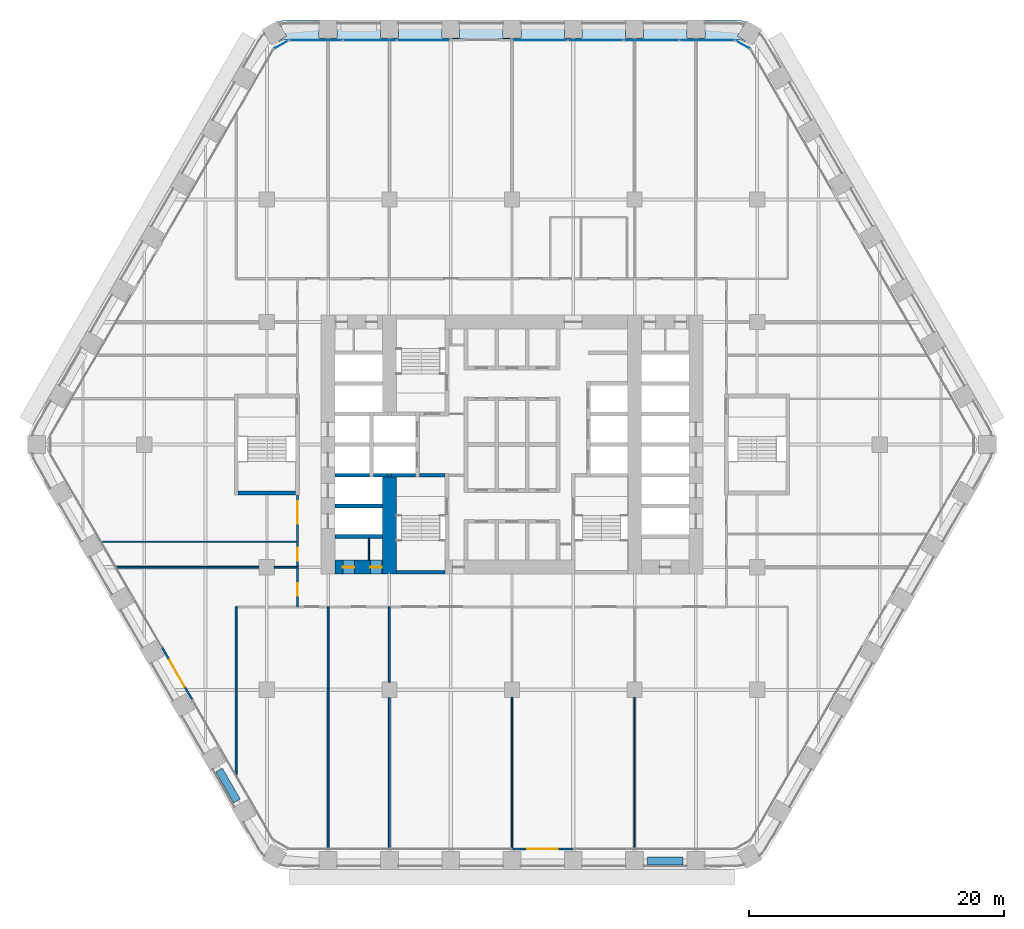
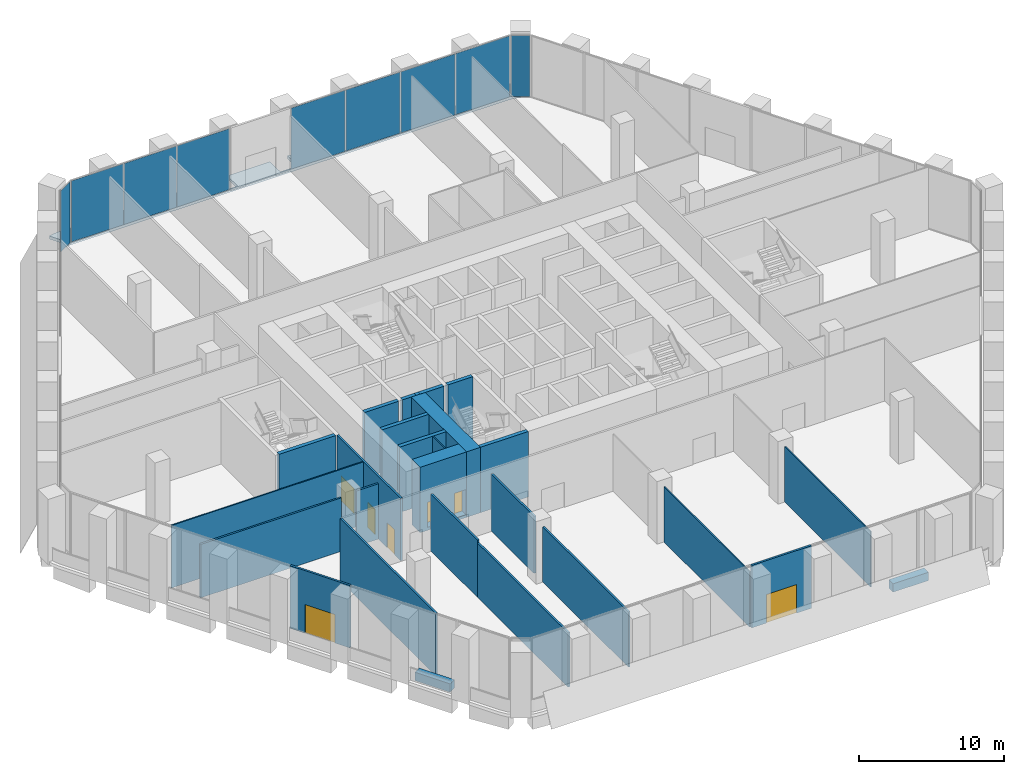
# One storey, part 17 of 27: 27 walls, 9 plates, 7 doors, 1 slab, 7 openings, 4 elements without a shape of their own.
"""IFC4 building model written with IfcOpenShell, lengths in metres."""

from ifc_helpers import new_model, si_unit, direction, frame, frame_2d, origin, origin_2d, place, context, subcontext, project, spatial, polyline, rectangle, outline, extrude, material, layer, layer_set, type_object, element, fill, aggregate, save


model = new_model("IFC4")

# Units and contexts
model_context = context("Model", 3, precision=1e-05, world=origin(), true_north=direction((0.0, 1.0)))
body_context = subcontext(model_context, "Body", "Model", "MODEL_VIEW")
ifc_project = project(units=[si_unit("LENGTHUNIT", "METRE"), si_unit("AREAUNIT", "SQUARE_METRE"), si_unit("VOLUMEUNIT", "CUBIC_METRE"), si_unit("PLANEANGLEUNIT", "RADIAN"), si_unit("MASSUNIT", "GRAM", prefix="KILO")], contexts=[model_context])

# Site, building, storey
site_placement = place(None, origin())
site = spatial("IfcSite", under=ifc_project, at=site_placement, CompositionType="ELEMENT")
building_placement = place(site_placement, origin())
building = spatial("IfcBuilding", under=site, at=building_placement, Name="Kolab Exchange Tower", CompositionType="ELEMENT")
storey_placement = place(building_placement, frame((0.0, 0.0, 22.39990234375)))
storey = spatial("IfcBuildingStorey", under=building, at=storey_placement, Name="L04", CompositionType="ELEMENT", Elevation=22.39990234375)

# Slab
ifc_material_1 = material(Name="Concrete C35/45", Category="concrete")
ifc_layer_1 = layer(ifc_material_1, 0.25)
ifc_layer_set_1 = layer_set([ifc_layer_1], Name="Concrete C35/45")
slab_type = type_object("IfcSlabType", Name="LOGGIA SLAB 250", PredefinedType="FLOOR", material=ifc_layer_set_1)
slab_placement = place(storey_placement, frame((0.0, 0.0, -0.25)))
element("IfcSlab", 1, at=slab_placement, inside=storey, type_object=slab_type, Name="slab/L04/loggia/0-0", PredefinedType="FLOOR", context=body_context, shape_type="SweptSolid", body=[
    extrude(outline(polyline([(18.218017578125, 31.554443359375), (18.26806640625, 31.64111328125), (17.66162109375, 31.990966796875), (18.31494140625, 33.122314453125), (17.989013671875, 33.209716796875), (17.468017578125, 33.25537109375), (15.10009765625, 33.25537109375), (15.10009765625, 31.85546875), (13.699951171875, 31.85546875), (13.699951171875, 33.25537109375), (10.300048828125, 33.25537109375), (10.300048828125, 31.85546875), (8.89990234375, 31.85546875), (8.89990234375, 33.25537109375), (5.5, 33.25537109375), (5.5, 31.85546875), (4.10009765625, 31.85546875), (4.10009765625, 33.25537109375), (0.699951171875, 33.25537109375), (0.699951171875, 31.85546875), (-0.699951171875, 31.85546875), (-0.699951171875, 33.25537109375), (-4.10009765625, 33.25537109375), (-4.10009765625, 31.85546875), (-5.5, 31.85546875), (-5.5, 33.25537109375), (-8.89990234375, 33.25537109375), (-8.89990234375, 31.85546875), (-10.300048828125, 31.85546875), (-10.300048828125, 33.25537109375), (-13.699951171875, 33.25537109375), (-13.699951171875, 31.85546875), (-15.10009765625, 31.85546875), (-15.10009765625, 33.25537109375), (-17.468017578125, 33.25537109375), (-17.989013671875, 33.209716796875), (-18.31494140625, 33.122314453125), (-17.66162109375, 31.990966796875), (-18.26806640625, 31.64111328125), (-18.218017578125, 31.554443359375), (-17.98095703125, 31.664794921875), (-17.728515625, 31.732666015625), (-17.468017578125, 31.75537109375), (17.468017578125, 31.75537109375), (17.728515625, 31.732666015625), (17.98095703125, 31.664794921875), (18.218017578125, 31.554443359375)])), origin(), (0.0, 0.0, 1.0), 0.25),
])

# Curtain wall, plates
ifc_material_2 = material(Name="Aluminium EN AW-6063 T6", Category="aluminium")
curtain_wall_type = type_object("IfcCurtainWallType", Name="UNITISED LOW ZONE CURTAIN WALL", PredefinedType="NOTDEFINED", material=ifc_material_2)
curtain_wall_1_placement = place(storey_placement, origin())
curtain_wall_1 = element("IfcCurtainWall", 2, at=curtain_wall_1_placement, inside=storey, type_object=curtain_wall_type, Name="cw/L04/F1-1", PredefinedType="NOTDEFINED")
ifc_material_3 = material(Name="Clear insulated glazing unit", Category="glass")
ifc_layer_2 = layer(ifc_material_3, 0.02392578125)
ifc_layer_set_2 = layer_set([ifc_layer_2], Name="Clear insulated glazing unit")
plate_type = type_object("IfcPlateType", Name="UNITISED LOW ZONE GLASS PANEL 24", PredefinedType="CURTAIN_PANEL", material=ifc_layer_set_2)
plate_1_placement = place(storey_placement, frame((-15.341552734375, 31.67529296875, 0.06005859375), z_axis=(0.0, 0.0, 1.0), x_axis=(1.0, 0.0, 0.0)))
plate_1 = element("IfcPlate", 3, at=plate_1_placement, type_object=plate_type, Name="CW1 panel 1.1", PredefinedType="CURTAIN_PANEL", context=body_context, shape_type="SweptSolid", body=[
    extrude(rectangle(XDim=4.132568359375, YDim=0.02392578125, at=origin_2d()), origin(), (0.0, 0.0, 1.0), 5.1298828125),
])
plate_2_placement = place(storey_placement, frame((-11.134033203125, 31.67529296875, 0.06005859375), z_axis=(0.0, 0.0, 1.0), x_axis=(1.0, 0.0, 0.0)))
plate_2 = element("IfcPlate", 4, at=plate_2_placement, type_object=plate_type, Name="CW1 panel 2.1", PredefinedType="CURTAIN_PANEL", context=body_context, shape_type="SweptSolid", body=[
    extrude(rectangle(XDim=4.16259765625, YDim=0.02392578125, at=origin_2d()), origin(), (0.0, 0.0, 1.0), 5.1298828125),
])
plate_3_placement = place(storey_placement, frame((-6.92626953125, 31.67529296875, 0.06005859375), z_axis=(0.0, 0.0, 1.0), x_axis=(1.0, 0.0, 0.0)))
plate_3 = element("IfcPlate", 5, at=plate_3_placement, type_object=plate_type, Name="CW1 panel 3.1", PredefinedType="CURTAIN_PANEL", context=body_context, shape_type="SweptSolid", body=[
    extrude(rectangle(XDim=4.132568359375, YDim=0.02392578125, at=origin_2d()), origin(), (0.0, 0.0, 1.0), 5.1298828125),
])
aggregate(curtain_wall_1, [plate_1, plate_2, plate_3])

curtain_wall_2_placement = place(storey_placement, origin())
curtain_wall_2 = element("IfcCurtainWall", 6, at=curtain_wall_2_placement, inside=storey, type_object=curtain_wall_type, Name="cw/L04/F1-2", PredefinedType="NOTDEFINED")
plate_4_placement = place(storey_placement, frame((2.198486328125, 31.67529296875, 0.06005859375), z_axis=(0.0, 0.0, 1.0), x_axis=(1.0, 0.0, 0.0)))
plate_4 = element("IfcPlate", 7, at=plate_4_placement, type_object=plate_type, Name="CW1 panel 1.1", PredefinedType="CURTAIN_PANEL", context=body_context, shape_type="SweptSolid", body=[
    extrude(rectangle(XDim=4.277099609375, YDim=0.02392578125, at=origin_2d()), origin(), (0.0, 0.0, 1.0), 5.1298828125),
])
plate_5_placement = place(storey_placement, frame((6.550537109375, 31.67529296875, 0.06005859375), z_axis=(0.0, 0.0, 1.0), x_axis=(1.0, 0.0, 0.0)))
plate_5 = element("IfcPlate", 8, at=plate_5_placement, type_object=plate_type, Name="CW1 panel 2.1", PredefinedType="CURTAIN_PANEL", context=body_context, shape_type="SweptSolid", body=[
    extrude(rectangle(XDim=4.306884765625, YDim=0.02392578125, at=origin_2d()), origin(), (0.0, 0.0, 1.0), 5.1298828125),
])
plate_6_placement = place(storey_placement, frame((10.91748046875, 31.67529296875, 0.06005859375), z_axis=(0.0, 0.0, 1.0), x_axis=(1.0, 0.0, 0.0)))
plate_6 = element("IfcPlate", 9, at=plate_6_placement, type_object=plate_type, Name="CW1 panel 3.1", PredefinedType="CURTAIN_PANEL", context=body_context, shape_type="SweptSolid", body=[
    extrude(rectangle(XDim=4.306884765625, YDim=0.02392578125, at=origin_2d()), origin(), (0.0, 0.0, 1.0), 5.1298828125),
])
plate_7_placement = place(storey_placement, frame((15.26953125, 31.67529296875, 0.06005859375), z_axis=(0.0, 0.0, 1.0), x_axis=(1.0, 0.0, 0.0)))
plate_7 = element("IfcPlate", 10, at=plate_7_placement, type_object=plate_type, Name="CW1 panel 4.1", PredefinedType="CURTAIN_PANEL", context=body_context, shape_type="SweptSolid", body=[
    extrude(rectangle(XDim=4.277099609375, YDim=0.02392578125, at=origin_2d()), origin(), (0.0, 0.0, 1.0), 5.1298828125),
])
aggregate(curtain_wall_2, [plate_4, plate_5, plate_6, plate_7])

# Curtain wall, plate
curtain_wall_3_placement = place(storey_placement, origin())
curtain_wall_3 = element("IfcCurtainWall", 11, at=curtain_wall_3_placement, inside=storey, type_object=curtain_wall_type, Name="cw/L04/F1F2-corner", PredefinedType="NOTDEFINED")
plate_8_placement = place(storey_placement, frame((18.082763671875, 31.3203125, 0.06005859375), z_axis=(0.0, 0.0, 1.0), x_axis=(0.866025390869, -0.50000002237, 0.0)))
plate_8 = element("IfcPlate", 12, at=plate_8_placement, type_object=plate_type, Name="CW1 panel 1.1", PredefinedType="CURTAIN_PANEL", context=body_context, shape_type="SweptSolid", body=[
    extrude(rectangle(XDim=1.300048828125, YDim=0.02392578125, at=origin_2d()), origin(), (0.0, 0.0, 1.0), 5.1298828125),
])
aggregate(curtain_wall_3, [plate_8])

curtain_wall_4_placement = place(storey_placement, origin())
curtain_wall_4 = element("IfcCurtainWall", 13, at=curtain_wall_4_placement, inside=storey, type_object=curtain_wall_type, Name="cw/L04/F6F1-corner", PredefinedType="NOTDEFINED")
plate_9_placement = place(storey_placement, frame((-18.082763671875, 31.3203125, 0.06005859375), z_axis=(0.0, 0.0, 1.0), x_axis=(0.866025390869, 0.50000002237, 0.0)))
plate_9 = element("IfcPlate", 14, at=plate_9_placement, type_object=plate_type, Name="CW1 panel 1.1", PredefinedType="CURTAIN_PANEL", context=body_context, shape_type="SweptSolid", body=[
    extrude(rectangle(XDim=1.300048828125, YDim=0.02392578125, at=origin_2d()), origin(), (0.0, 0.0, 1.0), 5.1298828125),
])
aggregate(curtain_wall_4, [plate_9])

# Wall, openings, doors
ifc_material_4 = material(Name="Concrete C80/95", Category="concrete")
ifc_layer_3 = layer(ifc_material_4, 1.10009765625)
ifc_layer_set_3 = layer_set([ifc_layer_3], Name="Concrete C80/95")
wall_type_1 = type_object("IfcWallType", Name="CORE WALL 1100 C80/95", PredefinedType="SHEAR", material=ifc_layer_set_3)
wall_1_placement = place(storey_placement, frame((-13.85009765625, -9.60009765625, -0.25), z_axis=(0.0, 0.0, 1.0), x_axis=(1.0, 0.0, 0.0)))
wall_1 = element("IfcWall", 15, at=wall_1_placement, inside=storey, type_object=wall_type_1, Name="wall/L04/core/002", PredefinedType="SHEAR", context=body_context, shape_type="SweptSolid", body=[
    extrude(rectangle(XDim=3.7001953125, YDim=1.10009765625, at=frame_2d((1.85009765625, 0.0))), origin(), (0.0, 0.0, 1.0), 5.5),
])
opening_1_placement = place(wall_1_placement, frame((0.60009765625, 0.0, 0.25)))
opening_1 = element("IfcOpeningElement", 16, at=opening_1_placement, cuts=wall_1, Name="Opening D6-101", PredefinedType="OPENING", context=body_context, shape_type="SweptSolid", body=[
    extrude(rectangle(XDim=0.89990234375, YDim=2.10009765625, at=frame_2d((0.449951171875, 1.050048828125))), frame((0.0, 0.56005859375, 0.0), z_axis=(0.0, -1.0, 0.0), x_axis=(1.0, 0.0, 0.0)), (0.0, 0.0, 1.0), 1.1201171875),
])
opening_2_placement = place(wall_1_placement, frame((2.75, 0.0, 0.25)))
opening_2 = element("IfcOpeningElement", 17, at=opening_2_placement, cuts=wall_1, Name="Opening D6-102", PredefinedType="OPENING", context=body_context, shape_type="SweptSolid", body=[
    extrude(rectangle(XDim=0.89990234375, YDim=2.10009765625, at=frame_2d((0.449951171875, 1.050048828125))), frame((0.0, 0.56005859375, 0.0), z_axis=(0.0, -1.0, 0.0), x_axis=(1.0, 0.0, 0.0)), (0.0, 0.0, 1.0), 1.1201171875),
])
ifc_material_5 = material(Name="Steel S235", Category="steel")
door_type_1 = type_object("IfcDoorType", Name="CORE DOOR 900 EI 120", OperationType="SINGLE_SWING_LEFT", PredefinedType="DOOR", material=ifc_material_5)
door_1_placement = place(opening_1_placement, origin())
door_1 = element("IfcDoor", 18, at=door_1_placement, inside=storey, type_object=door_type_1, Name="Service room door", OperationType="SINGLE_SWING_RIGHT", OverallHeight=2.10009765625, OverallWidth=0.89990234375, PredefinedType="DOOR", context=body_context, shape_type="SweptSolid", body=[
    extrude(rectangle(XDim=0.89990234375, YDim=2.10009765625, at=frame_2d((0.449951171875, 1.050048828125))), frame((0.0, 0.02490234375, 0.0), z_axis=(0.0, -1.0, 0.0), x_axis=(1.0, 0.0, 0.0)), (0.0, 0.0, 1.0), 0.050048828125),
])
fill(opening_1, door_1)
door_2_placement = place(opening_2_placement, origin())
door_2 = element("IfcDoor", 19, at=door_2_placement, inside=storey, type_object=door_type_1, Name="Service room door", OperationType="SINGLE_SWING_LEFT", OverallHeight=2.10009765625, OverallWidth=0.89990234375, PredefinedType="DOOR", context=body_context, shape_type="SweptSolid", body=[
    extrude(rectangle(XDim=0.89990234375, YDim=2.10009765625, at=frame_2d((0.449951171875, 1.050048828125))), frame((0.0, 0.02490234375, 0.0), z_axis=(0.0, -1.0, 0.0), x_axis=(1.0, 0.0, 0.0)), (0.0, 0.0, 1.0), 0.050048828125),
])
fill(opening_2, door_2)

# Wall
wall_2_placement = place(storey_placement, frame((-9.60009765625, -10.14990234375, -0.25), z_axis=(0.0, 0.0, 1.0), x_axis=(0.0, 1.0, 0.0)))
element("IfcWall", 20, at=wall_2_placement, inside=storey, type_object=wall_type_1, Name="wall/L04/core/059", PredefinedType="SHEAR", context=body_context, shape_type="SweptSolid", body=[
    extrude(rectangle(XDim=7.599853515625, YDim=1.10009765625, at=frame_2d((3.7998046875, 0.0))), origin(), (0.0, 0.0, 1.0), 5.5),
])

# Wall, opening, door
ifc_layer_4 = layer(ifc_material_2, 0.159912109375)
ifc_layer_set_4 = layer_set([ifc_layer_4], Name="Aluminium EN AW-6063 T6")
wall_type_2 = type_object("IfcWallType", Name="DOOR SURROUND WALL 160 ALUMINIUM FRAMED", PredefinedType="PARTITIONING", material=ifc_layer_set_4)
wall_3_placement = place(storey_placement, frame((4.77001953125, -31.67529296875, 0.0), z_axis=(0.0, 0.0, 1.0), x_axis=(-1.0, 0.0, 0.0)))
wall_3 = element("IfcWall", 21, at=wall_3_placement, inside=storey, type_object=wall_type_2, Name="Door surround wall", PredefinedType="PARTITIONING", context=body_context, shape_type="SweptSolid", body=[
    extrude(rectangle(XDim=4.739990234375, YDim=0.159912109375, at=frame_2d((2.3701171875, 0.0))), origin(), (0.0, 0.0, 1.0), 5.25),
])
opening_3_placement = place(wall_3_placement, frame((1.169921875, 0.0, 0.0)))
opening_3 = element("IfcOpeningElement", 22, at=opening_3_placement, cuts=wall_3, Name="Opening GD1-020", PredefinedType="OPENING", context=body_context, shape_type="SweptSolid", body=[
    extrude(rectangle(XDim=2.39990234375, YDim=2.39990234375, at=frame_2d((1.199951171875, 1.199951171875))), frame((0.0, 0.08984375, 0.0), z_axis=(0.0, -1.0, 0.0), x_axis=(1.0, 0.0, 0.0)), (0.0, 0.0, 1.0), 0.179931640625),
])
door_type_2 = type_object("IfcDoorType", Name="LOGGIA SLIDING GLASS DOOR 2400 X 2400", OperationType="DOUBLE_DOOR_SINGLE_SWING", PredefinedType="DOOR", material=ifc_material_2)
door_3_placement = place(opening_3_placement, origin())
door_3 = element("IfcDoor", 23, at=door_3_placement, inside=storey, type_object=door_type_2, Name="Loggia door", OperationType="DOUBLE_DOOR_SLIDING", OverallHeight=2.39990234375, OverallWidth=2.39990234375, PredefinedType="DOOR", context=body_context, shape_type="SweptSolid", body=[
    extrude(rectangle(XDim=2.39990234375, YDim=2.39990234375, at=frame_2d((1.199951171875, 1.199951171875))), frame((0.0, 0.02490234375, 0.0), z_axis=(0.0, -1.0, 0.0), x_axis=(1.0, 0.0, 0.0)), (0.0, 0.0, 1.0), 0.050048828125),
])
fill(opening_3, door_3)

wall_4_placement = place(storey_placement, frame((-25.046630859375, -19.96875, 0.0), z_axis=(0.0, 0.0, 1.0), x_axis=(-0.5000167099, 0.866015756104, 0.0)))
wall_4 = element("IfcWall", 24, at=wall_4_placement, inside=storey, type_object=wall_type_2, Name="Door surround wall", PredefinedType="PARTITIONING", context=body_context, shape_type="SweptSolid", body=[
    extrude(rectangle(XDim=4.739990234375, YDim=0.159912109375, at=frame_2d((2.3701171875, 0.0))), origin(), (0.0, 0.0, 1.0), 5.25),
])
opening_4_placement = place(wall_4_placement, frame((1.169921875, 0.0, 0.0)))
opening_4 = element("IfcOpeningElement", 25, at=opening_4_placement, cuts=wall_4, Name="Opening GD1-021", PredefinedType="OPENING", context=body_context, shape_type="SweptSolid", body=[
    extrude(rectangle(XDim=2.39990234375, YDim=2.39990234375, at=frame_2d((1.199951171875, 1.199951171875))), frame((0.0, 0.08984375, 0.0), z_axis=(0.0, -1.0, 0.0), x_axis=(1.0, 0.0, 0.0)), (0.0, 0.0, 1.0), 0.179931640625),
])
door_4_placement = place(opening_4_placement, origin())
door_4 = element("IfcDoor", 26, at=door_4_placement, inside=storey, type_object=door_type_2, Name="Loggia door", OperationType="DOUBLE_DOOR_SLIDING", OverallHeight=2.39990234375, OverallWidth=2.39990234375, PredefinedType="DOOR", context=body_context, shape_type="SweptSolid", body=[
    extrude(rectangle(XDim=2.39990234375, YDim=2.39990234375, at=frame_2d((1.199951171875, 1.199951171875))), frame((0.0, 0.02490234375, 0.0), z_axis=(0.0, -1.0, 0.0), x_axis=(1.0, 0.0, 0.0)), (0.0, 0.0, 1.0), 0.050048828125),
])
fill(opening_4, door_4)

# Walls
ifc_material_6 = material(Name="Concrete C50/60", Category="concrete")
ifc_layer_5 = layer(ifc_material_6, 0.300048828125)
ifc_layer_set_5 = layer_set([ifc_layer_5], Name="Concrete C50/60")
wall_type_3 = type_object("IfcWallType", Name="LIFT SHAFT WALL 300 C50/60", PredefinedType="STANDARD", material=ifc_layer_set_5)
for number, where, z_axis, x_axis, name in (
    (27, (-13.85009765625, -7.199951171875, -0.25), (0.0, 0.0, 1.0), (1.0, 0.0, 0.0), "wall/L04/core/005"),
    (28, (-13.85009765625, -4.800048828125, -0.25), (0.0, 0.0, 1.0), (1.0, 0.0, 0.0), "wall/L04/core/010"),
):
    element("IfcWall", number, at=place(storey_placement, frame(where, z_axis=z_axis, x_axis=x_axis)), inside=storey, type_object=wall_type_3, Name=name, PredefinedType="STANDARD", context=body_context, shape_type="SweptSolid", body=[
        extrude(rectangle(XDim=3.7001953125, YDim=0.300048828125, at=frame_2d((1.85009765625, 0.0))), origin(), (0.0, 0.0, 1.0), 5.5),
    ])
wall_5_placement = place(storey_placement, frame((-13.85009765625, -2.39990234375, -0.25), z_axis=(0.0, 0.0, 1.0), x_axis=(1.0, 0.0, 0.0)))
element("IfcWall", 29, at=wall_5_placement, inside=storey, type_object=wall_type_3, Name="wall/L04/core/017", PredefinedType="STANDARD", context=body_context, shape_type="SweptSolid", body=[
    extrude(rectangle(XDim=2.7001953125, YDim=0.300048828125, at=frame_2d((1.35009765625, 0.0))), origin(), (0.0, 0.0, 1.0), 5.5),
])
wall_6_placement = place(storey_placement, frame((-10.85009765625, -2.39990234375, -0.25), z_axis=(0.0, 0.0, 1.0), x_axis=(1.0, 0.0, 0.0)))
element("IfcWall", 30, at=wall_6_placement, inside=storey, type_object=wall_type_3, Name="wall/L04/core/018", PredefinedType="STANDARD", context=body_context, shape_type="SweptSolid", body=[
    extrude(rectangle(XDim=1.10009765625, YDim=0.300048828125, at=frame_2d((0.550048828125, 0.0))), origin(), (0.0, 0.0, 1.0), 5.5),
])
ifc_material_7 = material(Name="Gypsum board", Category="gypsum")
ifc_layer_6 = layer(ifc_material_7, 0.10009765625)
ifc_layer_set_6 = layer_set([ifc_layer_6], Name="Gypsum board")
wall_type_4 = type_object("IfcWallType", Name="PARTITION 100", PredefinedType="PARTITIONING", material=ifc_layer_set_6)
wall_7_placement = place(storey_placement, frame((9.60009765625, -31.58544921875, 0.0), z_axis=(0.0, 0.0, 1.0), x_axis=(0.0, 1.0, 0.0)))
element("IfcWall", 31, at=wall_7_placement, inside=storey, type_object=wall_type_4, Name="Partition 006", PredefinedType="PARTITIONING", context=body_context, shape_type="SweptSolid", body=[
    extrude(rectangle(XDim=11.785400390625, YDim=0.10009765625, at=frame_2d((5.892578125, 0.0))), origin(), (0.0, 0.0, 1.0), 4.64208984375),
])
wall_8_placement = place(storey_placement, frame((0.0, -31.595458984375, 0.0), z_axis=(0.0, 0.0, 1.0), x_axis=(0.0, 1.0, 0.0)))
element("IfcWall", 32, at=wall_8_placement, inside=storey, type_object=wall_type_4, Name="Partition 013", PredefinedType="PARTITIONING", context=body_context, shape_type="SweptSolid", body=[
    extrude(rectangle(XDim=11.79541015625, YDim=0.10009765625, at=frame_2d((5.897705078125, 0.0))), origin(), (0.0, 0.0, 1.0), 4.64208984375),
])
wall_9_placement = place(storey_placement, frame((-11.199951171875, -9.050048828125, 0.0), z_axis=(0.0, 0.0, 1.0), x_axis=(0.0, 1.0, 0.0)))
element("IfcWall", 33, at=wall_9_placement, inside=storey, type_object=wall_type_4, Name="Partition 022", PredefinedType="PARTITIONING", context=body_context, shape_type="SweptSolid", body=[
    extrude(rectangle(XDim=1.699951171875, YDim=0.10009765625, at=frame_2d((0.85009765625, 0.0))), origin(), (0.0, 0.0, 1.0), 5.25),
])
wall_10_placement = place(storey_placement, frame((-32.1416015625, -7.60009765625, 0.0), z_axis=(0.0, 0.0, 1.0), x_axis=(1.0, 0.0, 0.0)))
element("IfcWall", 34, at=wall_10_placement, inside=storey, type_object=wall_type_4, Name="Partition 037", PredefinedType="PARTITIONING", context=body_context, shape_type="SweptSolid", body=[
    extrude(rectangle(XDim=15.341552734375, YDim=0.10009765625, at=frame_2d((7.6708984375, 0.0))), origin(), (0.0, 0.0, 1.0), 5.25),
])
ifc_layer_7 = layer(ifc_material_7, 0.14990234375)
ifc_layer_set_7 = layer_set([ifc_layer_7], Name="Gypsum board")
wall_type_5 = type_object("IfcWallType", Name="PARTITION 150 FIRE-RATED", PredefinedType="PARTITIONING", material=ifc_layer_set_7)
wall_11_placement = place(storey_placement, frame((-9.60009765625, -31.58544921875, 0.0), z_axis=(0.0, 0.0, 1.0), x_axis=(0.0, 1.0, 0.0)))
element("IfcWall", 35, at=wall_11_placement, inside=storey, type_object=wall_type_5, Name="Partition 018", PredefinedType="PARTITIONING", context=body_context, shape_type="SweptSolid", body=[
    extrude(rectangle(XDim=11.785400390625, YDim=0.14990234375, at=frame_2d((5.892578125, 0.0))), origin(), (0.0, 0.0, 1.0), 4.64208984375),
])
wall_12_placement = place(storey_placement, frame((-9.60009765625, -18.60009765625, 0.0), z_axis=(0.0, 0.0, 1.0), x_axis=(0.0, 1.0, 0.0)))
element("IfcWall", 36, at=wall_12_placement, inside=storey, type_object=wall_type_5, Name="Partition 019", PredefinedType="PARTITIONING", context=body_context, shape_type="SweptSolid", body=[
    extrude(rectangle(XDim=5.900146484375, YDim=0.14990234375, at=frame_2d((2.9501953125, 0.0))), origin(), (0.0, 0.0, 1.0), 4.793212890625),
])
wall_13_placement = place(storey_placement, frame((-14.39990234375, -31.58544921875, 0.0), z_axis=(0.0, 0.0, 1.0), x_axis=(0.0, 1.0, 0.0)))
element("IfcWall", 37, at=wall_13_placement, inside=storey, type_object=wall_type_5, Name="Partition 024", PredefinedType="PARTITIONING", context=body_context, shape_type="SweptSolid", body=[
    extrude(rectangle(XDim=12.472412109375, YDim=0.14990234375, at=frame_2d((6.236328125, 0.0))), origin(), (0.0, 0.0, 1.0), 4.566162109375),
])
wall_14_placement = place(storey_placement, frame((-14.39990234375, -19.113037109375, 0.0), z_axis=(0.0, 0.0, 1.0), x_axis=(0.0, 1.0, 0.0)))
element("IfcWall", 38, at=wall_14_placement, inside=storey, type_object=wall_type_5, Name="Partition 024", PredefinedType="PARTITIONING", context=body_context, shape_type="SweptSolid", body=[
    extrude(rectangle(XDim=6.4130859375, YDim=0.14990234375, at=frame_2d((3.20654296875, 0.0))), origin(), (0.0, 0.0, 1.0), 4.793212890625),
])

# Wall, openings, doors
wall_15_placement = place(storey_placement, frame((-16.800048828125, -12.699951171875, 0.0), z_axis=(0.0, 0.0, 1.0), x_axis=(0.0, 1.0, 0.0)))
wall_15 = element("IfcWall", 39, at=wall_15_placement, inside=storey, type_object=wall_type_5, Name="Partition 026", PredefinedType="PARTITIONING", context=body_context, shape_type="SweptSolid", body=[
    extrude(rectangle(XDim=8.75, YDim=0.14990234375, at=frame_2d((4.375, 0.0))), origin(), (0.0, 0.0, 1.0), 5.25),
])
opening_5_placement = place(wall_15_placement, frame((0.85009765625, 0.0, 0.0)))
opening_5 = element("IfcOpeningElement", 40, at=opening_5_placement, cuts=wall_15, Name="Opening D1-078", PredefinedType="OPENING", context=body_context, shape_type="SweptSolid", body=[
    extrude(rectangle(XDim=1.0, YDim=2.10009765625, at=frame_2d((0.5, 1.050048828125))), frame((0.0, 0.0849609375, 0.0), z_axis=(0.0, -1.0, 0.0), x_axis=(1.0, 0.0, 0.0)), (0.0, 0.0, 1.0), 0.169921875),
])
opening_6_placement = place(wall_15_placement, frame((3.614990234375, 0.0, 0.0)))
opening_6 = element("IfcOpeningElement", 41, at=opening_6_placement, cuts=wall_15, Name="Opening D1-079", PredefinedType="OPENING", context=body_context, shape_type="SweptSolid", body=[
    extrude(rectangle(XDim=1.0, YDim=2.10009765625, at=frame_2d((0.5, 1.050048828125))), frame((0.0, 0.0849609375, 0.0), z_axis=(0.0, -1.0, 0.0), x_axis=(1.0, 0.0, 0.0)), (0.0, 0.0, 1.0), 0.169921875),
])
opening_7_placement = place(wall_15_placement, frame((6.485107421875, 0.0, 0.0)))
opening_7 = element("IfcOpeningElement", 42, at=opening_7_placement, cuts=wall_15, Name="Opening D2-014", PredefinedType="OPENING", context=body_context, shape_type="SweptSolid", body=[
    extrude(rectangle(XDim=1.800048828125, YDim=2.10009765625, at=frame_2d((0.89990234375, 1.050048828125))), frame((0.0, 0.0849609375, 0.0), z_axis=(0.0, -1.0, 0.0), x_axis=(1.0, 0.0, 0.0)), (0.0, 0.0, 1.0), 0.169921875),
])
door_type_3 = type_object("IfcDoorType", Name="DOUBLE DOOR 1800 FD60", OperationType="DOUBLE_DOOR_SINGLE_SWING", PredefinedType="DOOR", material=ifc_material_5)
door_5_placement = place(opening_7_placement, origin())
door_5 = element("IfcDoor", 43, at=door_5_placement, inside=storey, type_object=door_type_3, Name="Door L04-067", OperationType="SINGLE_SWING_RIGHT", OverallHeight=2.10009765625, OverallWidth=1.800048828125, PredefinedType="DOOR", context=body_context, shape_type="SweptSolid", body=[
    extrude(rectangle(XDim=1.800048828125, YDim=2.10009765625, at=frame_2d((0.89990234375, 1.050048828125))), frame((0.0, 0.02490234375, 0.0), z_axis=(0.0, -1.0, 0.0), x_axis=(1.0, 0.0, 0.0)), (0.0, 0.0, 1.0), 0.050048828125),
])
fill(opening_7, door_5)
door_type_4 = type_object("IfcDoorType", Name="FLUSH DOOR 1000 FD60", OperationType="SINGLE_SWING_LEFT", PredefinedType="DOOR", material=ifc_material_5)
door_6_placement = place(opening_5_placement, origin())
door_6 = element("IfcDoor", 44, at=door_6_placement, inside=storey, type_object=door_type_4, Name="Door L04-065", OperationType="SINGLE_SWING_LEFT", OverallHeight=2.10009765625, OverallWidth=1.0, PredefinedType="DOOR", context=body_context, shape_type="SweptSolid", body=[
    extrude(rectangle(XDim=1.0, YDim=2.10009765625, at=frame_2d((0.5, 1.050048828125))), frame((0.0, 0.02490234375, 0.0), z_axis=(0.0, -1.0, 0.0), x_axis=(1.0, 0.0, 0.0)), (0.0, 0.0, 1.0), 0.050048828125),
])
fill(opening_5, door_6)
door_7_placement = place(opening_6_placement, origin())
door_7 = element("IfcDoor", 45, at=door_7_placement, inside=storey, type_object=door_type_4, Name="Door L04-066", OperationType="SINGLE_SWING_RIGHT", OverallHeight=2.10009765625, OverallWidth=1.0, PredefinedType="DOOR", context=body_context, shape_type="SweptSolid", body=[
    extrude(rectangle(XDim=1.0, YDim=2.10009765625, at=frame_2d((0.5, 1.050048828125))), frame((0.0, 0.02490234375, 0.0), z_axis=(0.0, -1.0, 0.0), x_axis=(1.0, 0.0, 0.0)), (0.0, 0.0, 1.0), 0.050048828125),
])
fill(opening_6, door_7)

# Walls
wall_16_placement = place(storey_placement, frame((-21.60009765625, -25.8583984375, 0.0), z_axis=(0.0, 0.0, 1.0), x_axis=(0.0, 1.0, 0.0)))
element("IfcWall", 46, at=wall_16_placement, inside=storey, type_object=wall_type_5, Name="Partition 028", PredefinedType="PARTITIONING", context=body_context, shape_type="SweptSolid", body=[
    extrude(rectangle(XDim=13.158447265625, YDim=0.14990234375, at=frame_2d((6.5791015625, 0.0))), origin(), (0.0, 0.0, 1.0), 5.25),
])
wall_17_placement = place(storey_placement, frame((-30.98681640625, -9.60009765625, 0.0), z_axis=(0.0, 0.0, 1.0), x_axis=(1.0, 0.0, 0.0)))
element("IfcWall", 47, at=wall_17_placement, inside=storey, type_object=wall_type_5, Name="Partition 034", PredefinedType="PARTITIONING", context=body_context, shape_type="SweptSolid", body=[
    extrude(rectangle(XDim=11.186767578125, YDim=0.14990234375, at=frame_2d((5.59326171875, 0.0))), origin(), (0.0, 0.0, 1.0), 4.488037109375),
])
wall_18_placement = place(storey_placement, frame((-18.60009765625, -9.60009765625, 0.0), z_axis=(0.0, 0.0, 1.0), x_axis=(1.0, 0.0, 0.0)))
element("IfcWall", 48, at=wall_18_placement, inside=storey, type_object=wall_type_5, Name="Partition 035", PredefinedType="PARTITIONING", context=body_context, shape_type="SweptSolid", body=[
    extrude(rectangle(XDim=1.800048828125, YDim=0.14990234375, at=frame_2d((0.89990234375, 0.0))), origin(), (0.0, 0.0, 1.0), 4.64208984375),
])
ifc_material_8 = material(Name="Granite facing", Category="masonry")
ifc_layer_8 = layer(ifc_material_8, 0.0400390625)
ifc_material_9 = material(Name="Concrete C40/50 precast", Category="concrete")
ifc_layer_9 = layer(ifc_material_9, 0.56005859375)
ifc_layer_set_8 = layer_set([ifc_layer_8, ifc_layer_9], Name="Concrete C40/50 precast")
wall_type_6 = type_object("IfcWallType", Name="PLANTER BOX 600 X 700 SOIL DEPTH 550", PredefinedType="USERDEFINED", material=ifc_layer_set_8)
for number, where, z_axis, x_axis, name in (
    (49, (13.39990234375, -32.60546875, 0.0), (0.0, 0.0, 1.0), (-1.0, 0.0, 0.0), "Planter"),
    (50, (-21.537109375, -27.907470703125, 0.0), (0.0, 0.0, 1.0), (-0.49998411664, 0.866034573852, 0.0), "Planter"),
):
    element("IfcWall", number, at=place(storey_placement, frame(where, z_axis=z_axis, x_axis=x_axis)), inside=storey, type_object=wall_type_6, Name=name, ObjectType="PLANTER", PredefinedType="USERDEFINED", context=body_context, shape_type="SweptSolid", body=[
        extrude(rectangle(XDim=2.7998046875, YDim=0.60009765625, at=frame_2d((1.39990234375, 0.0))), origin(), (0.0, 0.0, 1.0), 0.7001953125),
    ])
ifc_layer_10 = layer(ifc_material_6, 0.300048828125)
ifc_layer_set_9 = layer_set([ifc_layer_10], Name="Concrete C50/60")
wall_type_7 = type_object("IfcWallType", Name="STAIR ENCLOSURE WALL 300 C50/60", PredefinedType="STANDARD", material=ifc_layer_set_9)
wall_19_placement = place(storey_placement, frame((-9.050048828125, -10.0, -0.25), z_axis=(0.0, 0.0, 1.0), x_axis=(1.0, 0.0, 0.0)))
element("IfcWall", 51, at=wall_19_placement, inside=storey, type_object=wall_type_7, Name="wall/L04/core/000", PredefinedType="STANDARD", context=body_context, shape_type="SweptSolid", body=[
    extrude(rectangle(XDim=3.800048828125, YDim=0.300048828125, at=frame_2d((1.89990234375, 0.0))), origin(), (0.0, 0.0, 1.0), 5.5),
])
wall_20_placement = place(storey_placement, frame((-21.449951171875, -3.800048828125, -0.25), z_axis=(0.0, 0.0, 1.0), x_axis=(1.0, 0.0, 0.0)))
element("IfcWall", 52, at=wall_20_placement, inside=storey, type_object=wall_type_7, Name="wall/L04/core/012", PredefinedType="STANDARD", context=body_context, shape_type="SweptSolid", body=[
    extrude(rectangle(XDim=4.5, YDim=0.300048828125, at=frame_2d((2.25, 0.0))), origin(), (0.0, 0.0, 1.0), 5.5),
])
wall_21_placement = place(storey_placement, frame((-9.449951171875, -2.39990234375, -0.25), z_axis=(0.0, 0.0, 1.0), x_axis=(1.0, 0.0, 0.0)))
element("IfcWall", 53, at=wall_21_placement, inside=storey, type_object=wall_type_7, Name="wall/L04/core/019", PredefinedType="STANDARD", context=body_context, shape_type="SweptSolid", body=[
    extrude(rectangle(XDim=1.89990234375, YDim=0.300048828125, at=frame_2d((0.949951171875, 0.0))), origin(), (0.0, 0.0, 1.0), 5.5),
])
wall_22_placement = place(storey_placement, frame((-7.25, -2.39990234375, -0.25), z_axis=(0.0, 0.0, 1.0), x_axis=(1.0, 0.0, 0.0)))
element("IfcWall", 54, at=wall_22_placement, inside=storey, type_object=wall_type_7, Name="wall/L04/core/020", PredefinedType="STANDARD", context=body_context, shape_type="SweptSolid", body=[
    extrude(rectangle(XDim=2.0, YDim=0.300048828125, at=frame_2d((1.0, 0.0))), origin(), (0.0, 0.0, 1.0), 5.5),
])
wall_23_placement = place(storey_placement, frame((-9.60009765625, -2.550048828125, -0.25), z_axis=(0.0, 0.0, 1.0), x_axis=(0.0, 1.0, 0.0)))
element("IfcWall", 55, at=wall_23_placement, inside=storey, type_object=wall_type_7, Name="wall/L04/core/060", PredefinedType="STANDARD", context=body_context, shape_type="SweptSolid", body=[
    extrude(rectangle(XDim=0.300048828125, YDim=0.300048828125, at=frame_2d((0.14990234375, 0.0))), origin(), (0.0, 0.0, 1.0), 5.5),
])

save(model, "model.ifc")
